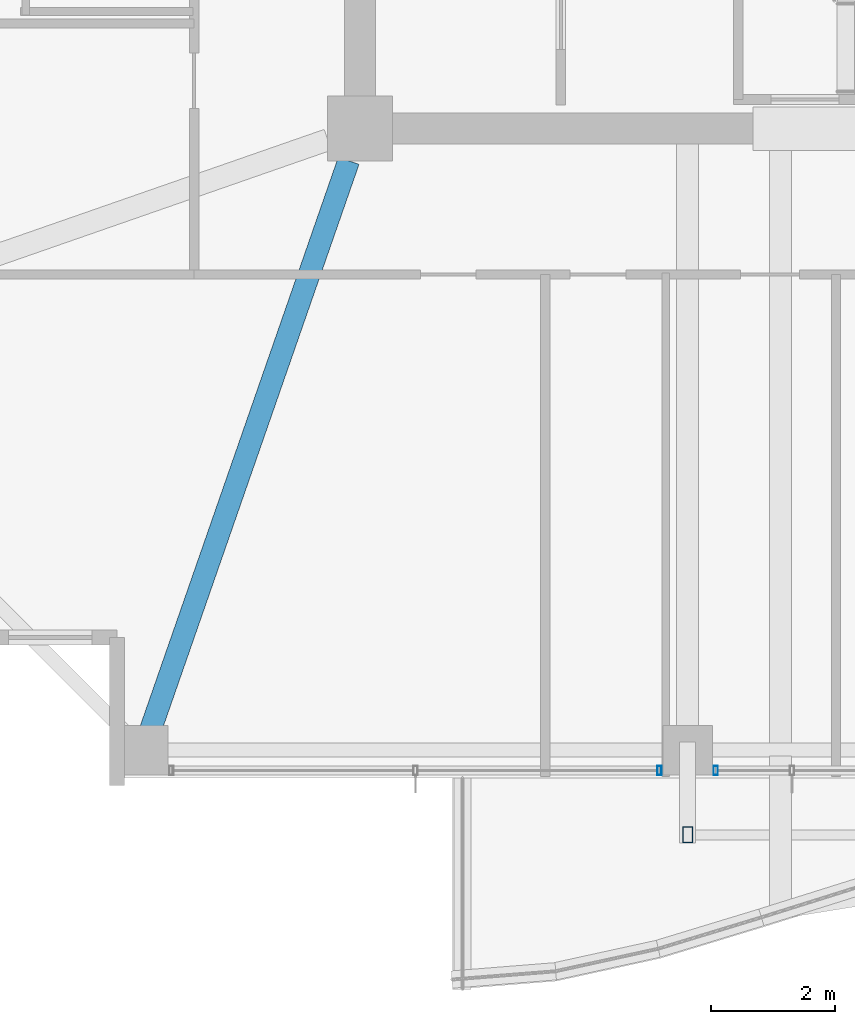
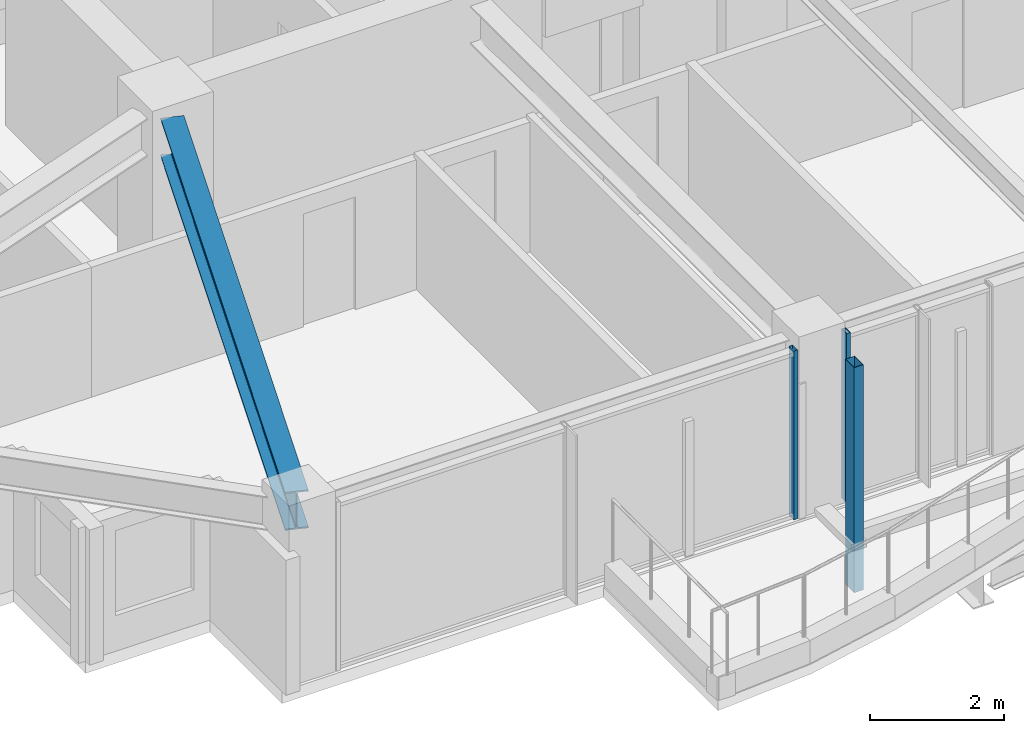
# One storey, part 4 of 38: 3 members, 1 beam, 2 elements without a shape of their own.
"""IFC4 building model written with IfcOpenShell, lengths in metres."""

import ifcopenshell
import ifcopenshell.guid

model = None  # the IFC model being written
_history = None  # IfcOwnerHistory: only IFC2X3 demands one
_inside = {}  # id of a spatial element -> (the spatial element, [elements in it])
_under = {}  # id of a project, library or spatial element -> (it, [spatial elements below it])
_declared = {}  # id of a project -> (the project, [libraries it declares])
_typed = {}  # id of a type object -> (the type object, [elements of that type])
_made_of = {}  # id of a material, layer set ... -> (it, [elements and type objects made of it])


def new_model(schema):
    """Start an empty IFC model of exactly this schema.

    Asked for "IFC4X3", IfcOpenShell would pick the latest addendum, in which some entities
    have other attributes; the version numbers below select the first issue.
    IFC2X3 requires an IfcOwnerHistory on every rooted entity: one is made here for all.
    """
    global model, _history
    if schema == "IFC4X3":
        model = ifcopenshell.file(schema_version=(4, 3, 0, 0))
    else:
        model = ifcopenshell.file(schema=schema)
    _inside.clear()
    _under.clear()
    _declared.clear()
    _typed.clear()
    _made_of.clear()
    _history = None
    if model.schema == "IFC2X3":
        org = make("IfcOrganization", Name="unknown")
        user = make(
            "IfcPersonAndOrganization",
            ThePerson=make("IfcPerson", FamilyName="unknown"),
            TheOrganization=org,
        )
        app = make(
            "IfcApplication",
            ApplicationDeveloper=org,
            Version="unknown",
            ApplicationFullName="unknown",
            ApplicationIdentifier="unknown",
        )
        _history = make(
            "IfcOwnerHistory",
            OwningUser=user,
            OwningApplication=app,
            ChangeAction="ADDED",
            CreationDate=0,
        )
    return model


def make(cls, **values):
    """One entity of the class cls with the attributes given. An attribute that is None is left unset."""
    return model.create_entity(
        cls, **{name: value for name, value in values.items() if value is not None}
    )


def rooted(cls, **values):
    """An entity with a GlobalId (a new one), such as an element, a storey or a relation."""
    return make(cls, GlobalId=ifcopenshell.guid.new(), OwnerHistory=_history, **values)


def si_unit(unit_type, name, prefix=None):
    """IfcSIUnit, for example si_unit("LENGTHUNIT", "METRE", prefix="MILLI")."""
    return make("IfcSIUnit", UnitType=unit_type, Prefix=prefix, Name=name)


def assignment(units):
    """IfcUnitAssignment: the units of a project."""
    return None if units is None else make("IfcUnitAssignment", Units=units)


def point(xyz):
    """IfcCartesianPoint."""
    return None if xyz is None else make("IfcCartesianPoint", Coordinates=xyz)


def direction(xyz):
    """IfcDirection."""
    return None if xyz is None else make("IfcDirection", DirectionRatios=xyz)


def frame(location, z_axis=None, x_axis=None):
    """IfcAxis2Placement3D, a coordinate frame: its origin and axes. An axis left out is left unset."""
    return make(
        "IfcAxis2Placement3D",
        Location=point(location),
        Axis=direction(z_axis),
        RefDirection=direction(x_axis),
    )


def frame_2d(location, x_axis=None):
    """IfcAxis2Placement2D, a coordinate frame in the plane: its origin and x axis."""
    return make(
        "IfcAxis2Placement2D", Location=point(location), RefDirection=direction(x_axis)
    )


def origin():
    """The frame at (0, 0, 0) with its axes left unset."""
    return frame((0.0, 0.0, 0.0))


def origin_2d():
    """The frame at (0, 0) in the plane with its x axis left unset."""
    return frame_2d((0.0, 0.0))


def place(relative_to, where):
    """IfcLocalPlacement: puts the frame where relative to a parent placement (None: the world)."""
    return make(
        "IfcLocalPlacement", PlacementRelTo=relative_to, RelativePlacement=where
    )


def context(
    kind, dimensions, precision=None, world=None, true_north=None, identifier=None
):
    """IfcGeometricRepresentationContext, for example the 3D "Model" context."""
    return make(
        "IfcGeometricRepresentationContext",
        ContextIdentifier=identifier,
        ContextType=kind,
        CoordinateSpaceDimension=dimensions,
        Precision=precision,
        WorldCoordinateSystem=world,
        TrueNorth=true_north,
    )


def subcontext(parent, identifier, kind, view, scale=None):
    """IfcGeometricRepresentationSubContext, for example "Body" below "Model"."""
    return make(
        "IfcGeometricRepresentationSubContext",
        ContextIdentifier=identifier,
        ContextType=kind,
        ParentContext=parent,
        TargetScale=scale,
        TargetView=view,
    )


def project(units=None, contexts=None):
    """IfcProject with its units and contexts."""
    return rooted(
        "IfcProject",
        Name="project",
        RepresentationContexts=contexts,
        UnitsInContext=assignment(units),
    )


def spatial(cls, under=None, at=None, **own):
    """A site, building, storey or space (cls), placed at a placement, below another one or the project."""
    s = rooted(cls, ObjectPlacement=at, **own)
    if under is not None:
        _under.setdefault(under.id(), (under, []))[1].append(s)
    return s


def profile(cls, at=None, kind="AREA", **sizes):
    """A parametric profile (cls). Its sizes go by their IFC names, for example OverallWidth=200.0."""
    return make(cls, ProfileType=kind, Position=at, **sizes)


def hollow_rectangle(**sizes):
    """IfcRectangleHollowProfileDef."""
    return profile("IfcRectangleHollowProfileDef", **sizes)


def i_section(**sizes):
    """IfcIShapeProfileDef."""
    return profile("IfcIShapeProfileDef", **sizes)


def extrude(swept, where, along, depth):
    """IfcExtrudedAreaSolid: the profile swept, set in the frame where, extruded along a direction by depth."""
    return make(
        "IfcExtrudedAreaSolid",
        SweptArea=swept,
        Position=where,
        ExtrudedDirection=direction(along),
        Depth=depth,
    )


def shape(context_of_items, identifier, shape_type, items):
    """IfcShapeRepresentation: the items that make up one representation, for example the "Body"."""
    return make(
        "IfcShapeRepresentation",
        ContextOfItems=context_of_items,
        RepresentationIdentifier=identifier,
        RepresentationType=shape_type,
        Items=items,
    )


def material(Name=None, Category=None):
    """IfcMaterial."""
    return make("IfcMaterial", Name=Name, Category=Category)


def material_profile(
    of_material, cross_section, Name=None, Category=None, Priority=None
):
    """IfcMaterialProfile: a cross section and its material."""
    return make(
        "IfcMaterialProfile",
        Name=Name,
        Material=of_material,
        Profile=cross_section,
        Priority=Priority,
        Category=Category,
    )


def profile_set(profiles, Name=None, composite=None):
    """IfcMaterialProfileSet."""
    return make(
        "IfcMaterialProfileSet",
        Name=Name,
        MaterialProfiles=profiles,
        CompositeProfile=composite,
    )


def made_of(thing, what):
    """Note that an element or type object is made of a material, layer set ...; save() writes the relation."""
    if what is not None:
        _made_of.setdefault(what.id(), (what, []))[1].append(thing)
    return thing


def type_object(cls, material=None, **own):
    """A type object (cls), such as IfcWallType, which elements share."""
    return made_of(rooted(cls, **own), material)


def element(
    cls,
    number,
    at=None,
    inside=None,
    cuts=None,
    type_object=None,
    material=None,
    context=None,
    identifier="Body",
    shape_type=None,
    held_by="IfcProductDefinitionShape",
    body=None,
    shapes=None,
    **own,
):
    """One element of the class cls, such as IfcWall. Its Tag is "e" and its number.

    at: its placement. inside: the storey or other place that contains it. cuts: it is an
    opening in that element (IfcRelVoidsElement). A single representation is given by context,
    identifier, shape_type and body (its items); several are given by shapes. held_by: the class
    of the entity that holds the representations. save() writes the other relations.
    """
    e = rooted(cls, Tag="e%d" % number, ObjectPlacement=at, **own)
    if body is not None:
        shapes = [shape(context, identifier, shape_type, body)]
    if shapes is not None:
        e.Representation = make(held_by, Representations=shapes)
    if inside is not None:
        _inside.setdefault(inside.id(), (inside, []))[1].append(e)
    if cuts is not None:
        rooted(
            "IfcRelVoidsElement", RelatingBuildingElement=cuts, RelatedOpeningElement=e
        )
    if type_object is not None:
        _typed.setdefault(type_object.id(), (type_object, []))[1].append(e)
    return made_of(e, material)


def aggregate(whole, parts):
    """IfcRelAggregates: a whole, such as a stair, and the parts it consists of."""
    return rooted("IfcRelAggregates", RelatingObject=whole, RelatedObjects=parts)


def save(model, path):
    """Write the relations noted so far, then the file.

    IfcRelAggregates (storeys below a building ...), IfcRelContainedInSpatialStructure (elements
    in a storey), IfcRelDefinesByType, IfcRelAssociatesMaterial and IfcRelDeclares: one each for
    every whole, place, type object, material and project.
    """
    for whole, parts in _under.values():
        aggregate(whole, parts)
    for where, things in _inside.values():
        rooted(
            "IfcRelContainedInSpatialStructure",
            RelatedElements=things,
            RelatingStructure=where,
        )
    for kind, things in _typed.values():
        rooted("IfcRelDefinesByType", RelatedObjects=things, RelatingType=kind)
    for what, things in _made_of.values():
        rooted("IfcRelAssociatesMaterial", RelatedObjects=things, RelatingMaterial=what)
    for by, libraries in _declared.values():
        rooted("IfcRelDeclares", RelatingContext=by, RelatedDefinitions=libraries)
    model.write(path)


model = new_model("IFC4")

# Units and contexts
model_context = context("Model", 3, precision=1e-05, world=origin(), true_north=direction((0.0, 1.0)))
body_context = subcontext(model_context, "Body", "Model", "MODEL_VIEW")
ifc_project = project(units=[si_unit("LENGTHUNIT", "METRE"), si_unit("AREAUNIT", "SQUARE_METRE"), si_unit("VOLUMEUNIT", "CUBIC_METRE"), si_unit("PLANEANGLEUNIT", "RADIAN"), si_unit("MASSUNIT", "GRAM", prefix="KILO")], contexts=[model_context])

# Site, building, storey
site_placement = place(None, origin())
site = spatial("IfcSite", under=ifc_project, at=site_placement, CompositionType="ELEMENT")
building_placement = place(site_placement, origin())
building = spatial("IfcBuilding", under=site, at=building_placement, Name="Kolvaren Belvedere", CompositionType="ELEMENT")
storey_placement = place(building_placement, frame((0.0, 0.0, 206.39990234375)))
storey = spatial("IfcBuildingStorey", under=building, at=storey_placement, Name="L60", CompositionType="ELEMENT", Elevation=206.39990234375)

# Beam
ifc_material_1 = material(Name="Structural steel ASTM A992 Grade 50", Category="steel")
ifc_material_profile_1 = material_profile(ifc_material_1, i_section(OverallWidth=0.35498046875, OverallDepth=0.696044921875, WebThickness=0.015380859375, FlangeThickness=0.02490234375, FilletRadius=0.02197265625, at=origin_2d()), Name="W27X146")
ifc_profile_set_1 = profile_set([ifc_material_profile_1], Name="Structural steel ASTM A992 Grade 50")
beam_type = type_object("IfcBeamType", Name="BM-GIRD-W27X146", PredefinedType="BEAM", material=ifc_profile_set_1)
beam_placement = place(storey_placement, frame((-10.080810546875, -10.41943359375, 2.732177734375), z_axis=(-0.328898147971, -0.944365399758, 0.0), x_axis=(0.944365399758, -0.328898147971, 0.0)))
element("IfcBeam", 1, at=beam_placement, inside=storey, type_object=beam_type, Name="L60 Corner Core-to-Perimeter Girder CC1-S1", PredefinedType="BEAM", context=body_context, shape_type="SweptSolid", body=[
    extrude(i_section(OverallWidth=0.35498046875, OverallDepth=0.696044921875, WebThickness=0.015380859375, FlangeThickness=0.02490234375, FilletRadius=0.02197265625, at=origin_2d()), origin(), (0.0, 0.0, 1.0), 9.931884765625),
])

# Curtain wall, member
ifc_material_2 = material(Name="Anodised pale-metal aluminium AA 6063-T6", Category="aluminium")
curtain_wall_type = type_object("IfcCurtainWallType", Name="CW-Z5-HIGH", PredefinedType="NOTDEFINED", material=ifc_material_2)
curtain_wall_1_placement = place(storey_placement, origin())
curtain_wall_1 = element("IfcCurtainWall", 2, at=curtain_wall_1_placement, inside=storey, type_object=curtain_wall_type, Name="L60 Unitised Curtain Wall FCW-L60-S2-B1", PredefinedType="NOTDEFINED")
ifc_material_3 = material(Name="Anodised pale-metal aluminium AA 6063-T6", Category="aluminium")
ifc_material_profile_2 = material_profile(ifc_material_3, hollow_rectangle(XDim=0.070068359375, YDim=0.14990234375, WallThickness=0.004150390625, at=origin_2d()), Name="ALU-MUL-150X70")
ifc_profile_set_2 = profile_set([ifc_material_profile_2], Name="Anodised pale-metal aluminium AA 6063-T6")
member_type_1 = type_object("IfcMemberType", Name="CW-MUL-150", PredefinedType="MULLION", material=ifc_profile_set_2)
member_1_placement = place(storey_placement, frame((-4.14501953125, -20.280029296875, 0.0), z_axis=(0.0, 0.0, 1.0), x_axis=(1.0, 0.0, 0.0)))
member_1 = element("IfcMember", 3, at=member_1_placement, type_object=member_type_1, Name="FCW-L60-S2-B1 Unitised Mullion 3", PredefinedType="MULLION", context=body_context, shape_type="SweptSolid", body=[
    extrude(hollow_rectangle(XDim=0.070068359375, YDim=0.14990234375, WallThickness=0.004150390625, at=origin_2d()), origin(), (0.0, 0.0, 1.0), 3.080078125),
])
aggregate(curtain_wall_1, [member_1])

curtain_wall_2_placement = place(storey_placement, origin())
curtain_wall_2 = element("IfcCurtainWall", 4, at=curtain_wall_2_placement, inside=storey, type_object=curtain_wall_type, Name="L60 Unitised Curtain Wall FCW-L60-S2-B2", PredefinedType="NOTDEFINED")
member_2_placement = place(storey_placement, frame((-5.054931640625, -20.280029296875, 0.0), z_axis=(0.0, 0.0, 1.0), x_axis=(1.0, 0.0, 0.0)))
member_2 = element("IfcMember", 5, at=member_2_placement, type_object=member_type_1, Name="FCW-L60-S2-B2 Unitised Mullion 1", PredefinedType="MULLION", context=body_context, shape_type="SweptSolid", body=[
    extrude(hollow_rectangle(XDim=0.070068359375, YDim=0.14990234375, WallThickness=0.004150390625, at=origin_2d()), origin(), (0.0, 0.0, 1.0), 3.080078125),
])
aggregate(curtain_wall_2, [member_2])

# Member
ifc_material_4 = material(Name="Anodised pale-metal aluminium AA 6063-T6", Category="aluminium")
ifc_material_profile_3 = material_profile(ifc_material_4, hollow_rectangle(XDim=0.159912109375, YDim=0.260009765625, WallThickness=0.006591796875, at=origin_2d()), Name="ALU-PF-260X160")
ifc_profile_set_3 = profile_set([ifc_material_profile_3], Name="Anodised pale-metal aluminium AA 6063-T6")
member_type_2 = type_object("IfcMemberType", Name="PF-FRAME-260", PredefinedType="USERDEFINED", material=ifc_profile_set_3)
member_3_placement = place(storey_placement, frame((-4.60009765625, -21.320068359375, -0.809814453125), z_axis=(0.0, 0.0, 1.0), x_axis=(1.0, 0.0, 0.0)))
element("IfcMember", 6, at=member_3_placement, inside=storey, type_object=member_type_2, Name="L60 Outboard Picture-Frame Vertical S2", ObjectType="PICTURE FRAME FIN", PredefinedType="USERDEFINED", context=body_context, shape_type="SweptSolid", body=[
    extrude(hollow_rectangle(XDim=0.159912109375, YDim=0.260009765625, WallThickness=0.006591796875, at=origin_2d()), origin(), (0.0, 0.0, 1.0), 4.10986328125),
])

save(model, "model.ifc")
